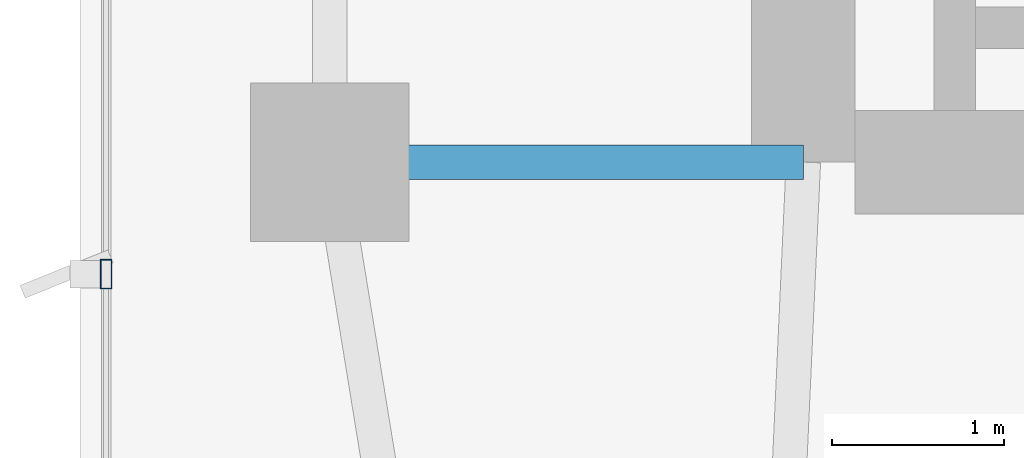
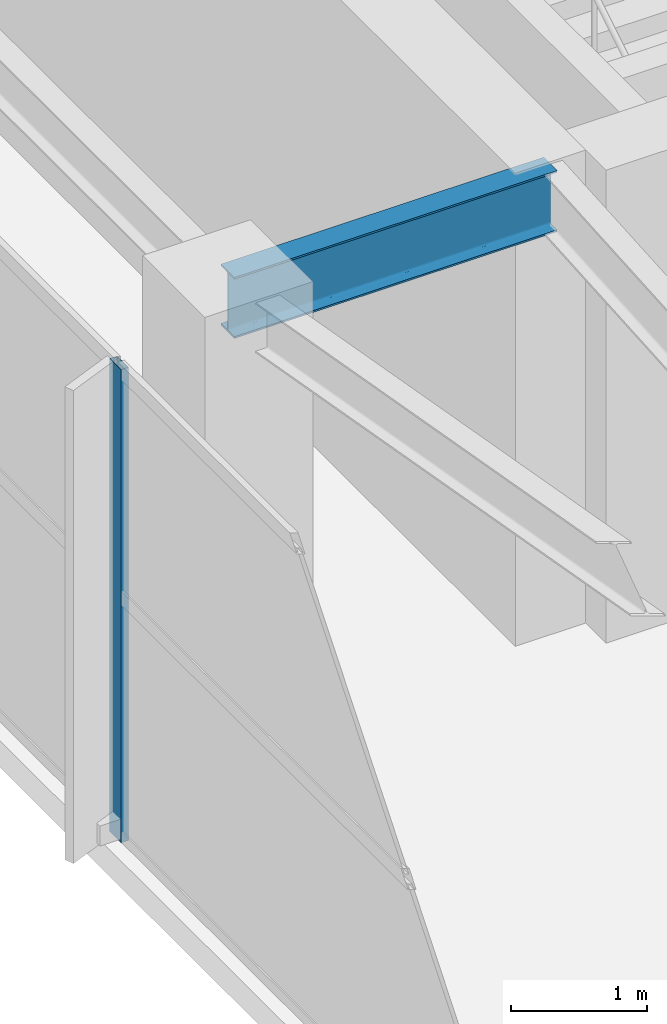
# One storey, part 5 of 25: 1 beam, 1 member, 1 element without a shape of its own.
"""IFC4 building model written with IfcOpenShell, lengths in metres."""

import ifcopenshell
import ifcopenshell.guid

model = None  # the IFC model being written
_history = None  # IfcOwnerHistory: only IFC2X3 demands one
_inside = {}  # id of a spatial element -> (the spatial element, [elements in it])
_under = {}  # id of a project, library or spatial element -> (it, [spatial elements below it])
_declared = {}  # id of a project -> (the project, [libraries it declares])
_typed = {}  # id of a type object -> (the type object, [elements of that type])
_made_of = {}  # id of a material, layer set ... -> (it, [elements and type objects made of it])


def new_model(schema):
    """Start an empty IFC model of exactly this schema.

    Asked for "IFC4X3", IfcOpenShell would pick the latest addendum, in which some entities
    have other attributes; the version numbers below select the first issue.
    IFC2X3 requires an IfcOwnerHistory on every rooted entity: one is made here for all.
    """
    global model, _history
    if schema == "IFC4X3":
        model = ifcopenshell.file(schema_version=(4, 3, 0, 0))
    else:
        model = ifcopenshell.file(schema=schema)
    _inside.clear()
    _under.clear()
    _declared.clear()
    _typed.clear()
    _made_of.clear()
    _history = None
    if model.schema == "IFC2X3":
        org = make("IfcOrganization", Name="unknown")
        user = make(
            "IfcPersonAndOrganization",
            ThePerson=make("IfcPerson", FamilyName="unknown"),
            TheOrganization=org,
        )
        app = make(
            "IfcApplication",
            ApplicationDeveloper=org,
            Version="unknown",
            ApplicationFullName="unknown",
            ApplicationIdentifier="unknown",
        )
        _history = make(
            "IfcOwnerHistory",
            OwningUser=user,
            OwningApplication=app,
            ChangeAction="ADDED",
            CreationDate=0,
        )
    return model


def make(cls, **values):
    """One entity of the class cls with the attributes given. An attribute that is None is left unset."""
    return model.create_entity(
        cls, **{name: value for name, value in values.items() if value is not None}
    )


def rooted(cls, **values):
    """An entity with a GlobalId (a new one), such as an element, a storey or a relation."""
    return make(cls, GlobalId=ifcopenshell.guid.new(), OwnerHistory=_history, **values)


def si_unit(unit_type, name, prefix=None):
    """IfcSIUnit, for example si_unit("LENGTHUNIT", "METRE", prefix="MILLI")."""
    return make("IfcSIUnit", UnitType=unit_type, Prefix=prefix, Name=name)


def assignment(units):
    """IfcUnitAssignment: the units of a project."""
    return None if units is None else make("IfcUnitAssignment", Units=units)


def point(xyz):
    """IfcCartesianPoint."""
    return None if xyz is None else make("IfcCartesianPoint", Coordinates=xyz)


def direction(xyz):
    """IfcDirection."""
    return None if xyz is None else make("IfcDirection", DirectionRatios=xyz)


def frame(location, z_axis=None, x_axis=None):
    """IfcAxis2Placement3D, a coordinate frame: its origin and axes. An axis left out is left unset."""
    return make(
        "IfcAxis2Placement3D",
        Location=point(location),
        Axis=direction(z_axis),
        RefDirection=direction(x_axis),
    )


def frame_2d(location, x_axis=None):
    """IfcAxis2Placement2D, a coordinate frame in the plane: its origin and x axis."""
    return make(
        "IfcAxis2Placement2D", Location=point(location), RefDirection=direction(x_axis)
    )


def origin():
    """The frame at (0, 0, 0) with its axes left unset."""
    return frame((0.0, 0.0, 0.0))


def origin_2d():
    """The frame at (0, 0) in the plane with its x axis left unset."""
    return frame_2d((0.0, 0.0))


def place(relative_to, where):
    """IfcLocalPlacement: puts the frame where relative to a parent placement (None: the world)."""
    return make(
        "IfcLocalPlacement", PlacementRelTo=relative_to, RelativePlacement=where
    )


def context(
    kind, dimensions, precision=None, world=None, true_north=None, identifier=None
):
    """IfcGeometricRepresentationContext, for example the 3D "Model" context."""
    return make(
        "IfcGeometricRepresentationContext",
        ContextIdentifier=identifier,
        ContextType=kind,
        CoordinateSpaceDimension=dimensions,
        Precision=precision,
        WorldCoordinateSystem=world,
        TrueNorth=true_north,
    )


def subcontext(parent, identifier, kind, view, scale=None):
    """IfcGeometricRepresentationSubContext, for example "Body" below "Model"."""
    return make(
        "IfcGeometricRepresentationSubContext",
        ContextIdentifier=identifier,
        ContextType=kind,
        ParentContext=parent,
        TargetScale=scale,
        TargetView=view,
    )


def project(units=None, contexts=None):
    """IfcProject with its units and contexts."""
    return rooted(
        "IfcProject",
        Name="project",
        RepresentationContexts=contexts,
        UnitsInContext=assignment(units),
    )


def spatial(cls, under=None, at=None, **own):
    """A site, building, storey or space (cls), placed at a placement, below another one or the project."""
    s = rooted(cls, ObjectPlacement=at, **own)
    if under is not None:
        _under.setdefault(under.id(), (under, []))[1].append(s)
    return s


def profile(cls, at=None, kind="AREA", **sizes):
    """A parametric profile (cls). Its sizes go by their IFC names, for example OverallWidth=200.0."""
    return make(cls, ProfileType=kind, Position=at, **sizes)


def hollow_rectangle(**sizes):
    """IfcRectangleHollowProfileDef."""
    return profile("IfcRectangleHollowProfileDef", **sizes)


def i_section(**sizes):
    """IfcIShapeProfileDef."""
    return profile("IfcIShapeProfileDef", **sizes)


def extrude(swept, where, along, depth):
    """IfcExtrudedAreaSolid: the profile swept, set in the frame where, extruded along a direction by depth."""
    return make(
        "IfcExtrudedAreaSolid",
        SweptArea=swept,
        Position=where,
        ExtrudedDirection=direction(along),
        Depth=depth,
    )


def shape(context_of_items, identifier, shape_type, items):
    """IfcShapeRepresentation: the items that make up one representation, for example the "Body"."""
    return make(
        "IfcShapeRepresentation",
        ContextOfItems=context_of_items,
        RepresentationIdentifier=identifier,
        RepresentationType=shape_type,
        Items=items,
    )


def material(Name=None, Category=None):
    """IfcMaterial."""
    return make("IfcMaterial", Name=Name, Category=Category)


def layer(
    of_material, thickness, ventilated=None, Name=None, Category=None, Priority=None
):
    """IfcMaterialLayer: one layer of a wall or slab, of a material (None: an air gap)."""
    return make(
        "IfcMaterialLayer",
        Material=of_material,
        LayerThickness=thickness,
        IsVentilated=ventilated,
        Name=Name,
        Category=Category,
        Priority=Priority,
    )


def layer_set(layers, Name=None):
    """IfcMaterialLayerSet."""
    return make("IfcMaterialLayerSet", MaterialLayers=layers, LayerSetName=Name)


def material_profile(
    of_material, cross_section, Name=None, Category=None, Priority=None
):
    """IfcMaterialProfile: a cross section and its material."""
    return make(
        "IfcMaterialProfile",
        Name=Name,
        Material=of_material,
        Profile=cross_section,
        Priority=Priority,
        Category=Category,
    )


def profile_set(profiles, Name=None, composite=None):
    """IfcMaterialProfileSet."""
    return make(
        "IfcMaterialProfileSet",
        Name=Name,
        MaterialProfiles=profiles,
        CompositeProfile=composite,
    )


def made_of(thing, what):
    """Note that an element or type object is made of a material, layer set ...; save() writes the relation."""
    if what is not None:
        _made_of.setdefault(what.id(), (what, []))[1].append(thing)
    return thing


def type_object(cls, material=None, **own):
    """A type object (cls), such as IfcWallType, which elements share."""
    return made_of(rooted(cls, **own), material)


def element(
    cls,
    number,
    at=None,
    inside=None,
    cuts=None,
    type_object=None,
    material=None,
    context=None,
    identifier="Body",
    shape_type=None,
    held_by="IfcProductDefinitionShape",
    body=None,
    shapes=None,
    **own,
):
    """One element of the class cls, such as IfcWall. Its Tag is "e" and its number.

    at: its placement. inside: the storey or other place that contains it. cuts: it is an
    opening in that element (IfcRelVoidsElement). A single representation is given by context,
    identifier, shape_type and body (its items); several are given by shapes. held_by: the class
    of the entity that holds the representations. save() writes the other relations.
    """
    e = rooted(cls, Tag="e%d" % number, ObjectPlacement=at, **own)
    if body is not None:
        shapes = [shape(context, identifier, shape_type, body)]
    if shapes is not None:
        e.Representation = make(held_by, Representations=shapes)
    if inside is not None:
        _inside.setdefault(inside.id(), (inside, []))[1].append(e)
    if cuts is not None:
        rooted(
            "IfcRelVoidsElement", RelatingBuildingElement=cuts, RelatedOpeningElement=e
        )
    if type_object is not None:
        _typed.setdefault(type_object.id(), (type_object, []))[1].append(e)
    return made_of(e, material)


def aggregate(whole, parts):
    """IfcRelAggregates: a whole, such as a stair, and the parts it consists of."""
    return rooted("IfcRelAggregates", RelatingObject=whole, RelatedObjects=parts)


def save(model, path):
    """Write the relations noted so far, then the file.

    IfcRelAggregates (storeys below a building ...), IfcRelContainedInSpatialStructure (elements
    in a storey), IfcRelDefinesByType, IfcRelAssociatesMaterial and IfcRelDeclares: one each for
    every whole, place, type object, material and project.
    """
    for whole, parts in _under.values():
        aggregate(whole, parts)
    for where, things in _inside.values():
        rooted(
            "IfcRelContainedInSpatialStructure",
            RelatedElements=things,
            RelatingStructure=where,
        )
    for kind, things in _typed.values():
        rooted("IfcRelDefinesByType", RelatedObjects=things, RelatingType=kind)
    for what, things in _made_of.values():
        rooted("IfcRelAssociatesMaterial", RelatedObjects=things, RelatingMaterial=what)
    for by, libraries in _declared.values():
        rooted("IfcRelDeclares", RelatingContext=by, RelatedDefinitions=libraries)
    model.write(path)


model = new_model("IFC4")

# Units and contexts
model_context = context("Model", 3, precision=1e-05, world=origin(), true_north=direction((0.0, 1.0)))
body_context = subcontext(model_context, "Body", "Model", "MODEL_VIEW")
ifc_project = project(units=[si_unit("LENGTHUNIT", "METRE"), si_unit("AREAUNIT", "SQUARE_METRE"), si_unit("VOLUMEUNIT", "CUBIC_METRE"), si_unit("PLANEANGLEUNIT", "RADIAN"), si_unit("MASSUNIT", "GRAM", prefix="KILO")], contexts=[model_context])

# Site, building, storey
site_placement = place(None, origin())
site = spatial("IfcSite", under=ifc_project, at=site_placement, CompositionType="ELEMENT")
building_placement = place(site_placement, origin())
building = spatial("IfcBuilding", under=site, at=building_placement, Name="Calvorn Quay Hotel", CompositionType="ELEMENT")
storey_placement = place(building_placement, frame((0.0, 0.0, 311.5)))
storey = spatial("IfcBuildingStorey", under=building, at=storey_placement, Name="L77", CompositionType="ELEMENT", Elevation=311.5)

# Beam
ifc_material_1 = material(Name="Steel Q355B", Category="steel")
ifc_material_profile_1 = material_profile(ifc_material_1, i_section(OverallWidth=0.199951171875, OverallDepth=0.550048828125, WebThickness=0.010009765625, FlangeThickness=0.01611328125, FilletRadius=0.01806640625, at=origin_2d()), Name="HN550x200x10x16")
ifc_profile_set_1 = profile_set([ifc_material_profile_1], Name="Steel Q355B")
beam_type = type_object("IfcBeamType", Name="BM-GIRD-UPP", PredefinedType="BEAM", material=ifc_profile_set_1)
beam_placement = place(storey_placement, frame((1.449951171875, 16.800048828125, 3.965087890625), z_axis=(1.0, 0.0, 0.0), x_axis=(0.0, 1.0, 0.0)))
element("IfcBeam", 1, at=beam_placement, inside=storey, type_object=beam_type, Name="Beam BG-L77-W1", PredefinedType="BEAM", context=body_context, shape_type="SweptSolid", body=[
    extrude(i_section(OverallWidth=0.199951171875, OverallDepth=0.550048828125, WebThickness=0.010009765625, FlangeThickness=0.01611328125, FilletRadius=0.01806640625, at=origin_2d()), origin(), (0.0, 0.0, 1.0), 2.75),
])

# Curtain wall, member
ifc_material_2 = material(Name="Champagne Bronze Anodised Aluminium and Low-E Glass", Category="aluminium")
ifc_layer = layer(ifc_material_2, 0.219970703125)
ifc_layer_set = layer_set([ifc_layer], Name="CW-SYS-Z4")
curtain_wall_type = type_object("IfcCurtainWallType", Name="CW-SYS-Z4", PredefinedType="NOTDEFINED", material=ifc_layer_set)
curtain_wall_placement = place(storey_placement, origin())
curtain_wall = element("IfcCurtainWall", 2, at=curtain_wall_placement, inside=storey, type_object=curtain_wall_type, Name="Tower West Curtain Wall (L77)", PredefinedType="NOTDEFINED")
ifc_material_3 = material(Name="Champagne Bronze Anodised Aluminium 6063-T6", Category="aluminium")
ifc_material_profile_2 = material_profile(ifc_material_3, hollow_rectangle(XDim=0.06494140625, YDim=0.169921875, WallThickness=0.00341796875, at=origin_2d()), Name="ALU-M170x65x3.5")
ifc_profile_set_2 = profile_set([ifc_material_profile_2], Name="Champagne Bronze Anodised Aluminium 6063-T6")
member_type = type_object("IfcMemberType", Name="CW-SYS-Z4-MUL", PredefinedType="MULLION", material=ifc_profile_set_2)
member_placement = place(storey_placement, frame((0.14990234375, 16.14990234375, 0.0), z_axis=(0.0, 0.0, 1.0), x_axis=(-1.0, 0.0, 0.0)))
member = element("IfcMember", 3, at=member_placement, type_object=member_type, Name="CW-L77-W mullion 2", PredefinedType="MULLION", context=body_context, shape_type="SweptSolid", body=[
    extrude(hollow_rectangle(XDim=0.06494140625, YDim=0.169921875, WallThickness=0.00341796875, at=origin_2d()), origin(), (0.0, 0.0, 1.0), 4.260009765625),
])
aggregate(curtain_wall, [member])

save(model, "model.ifc")
